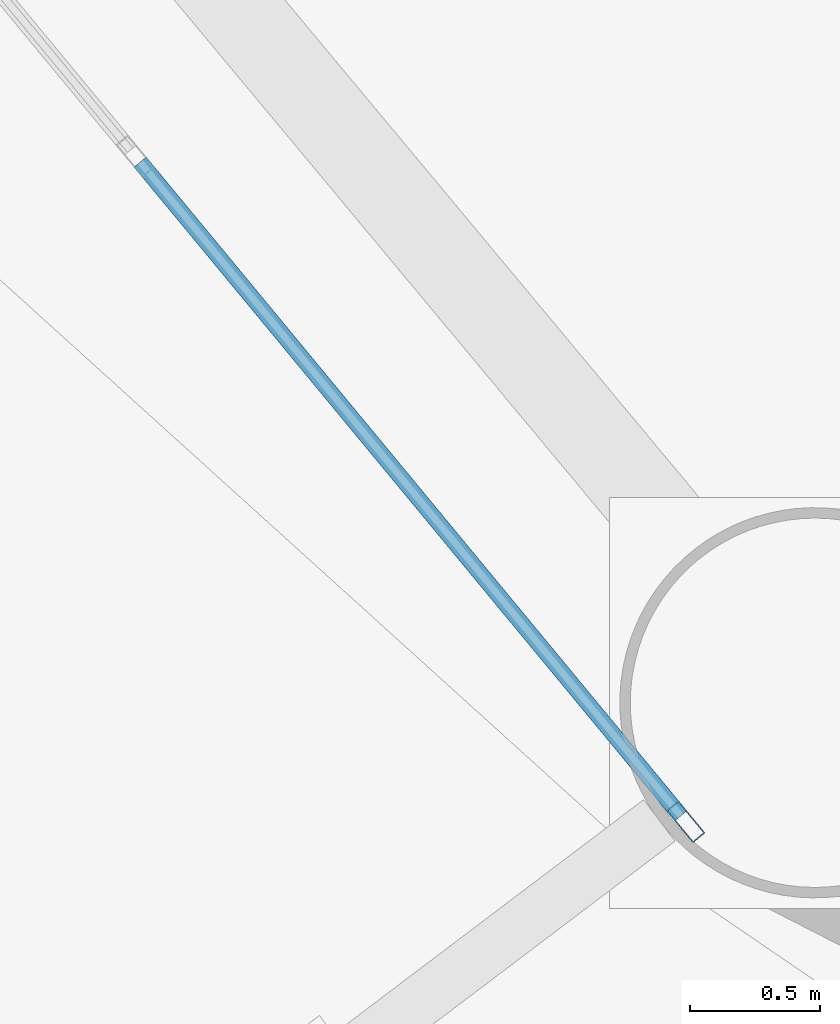
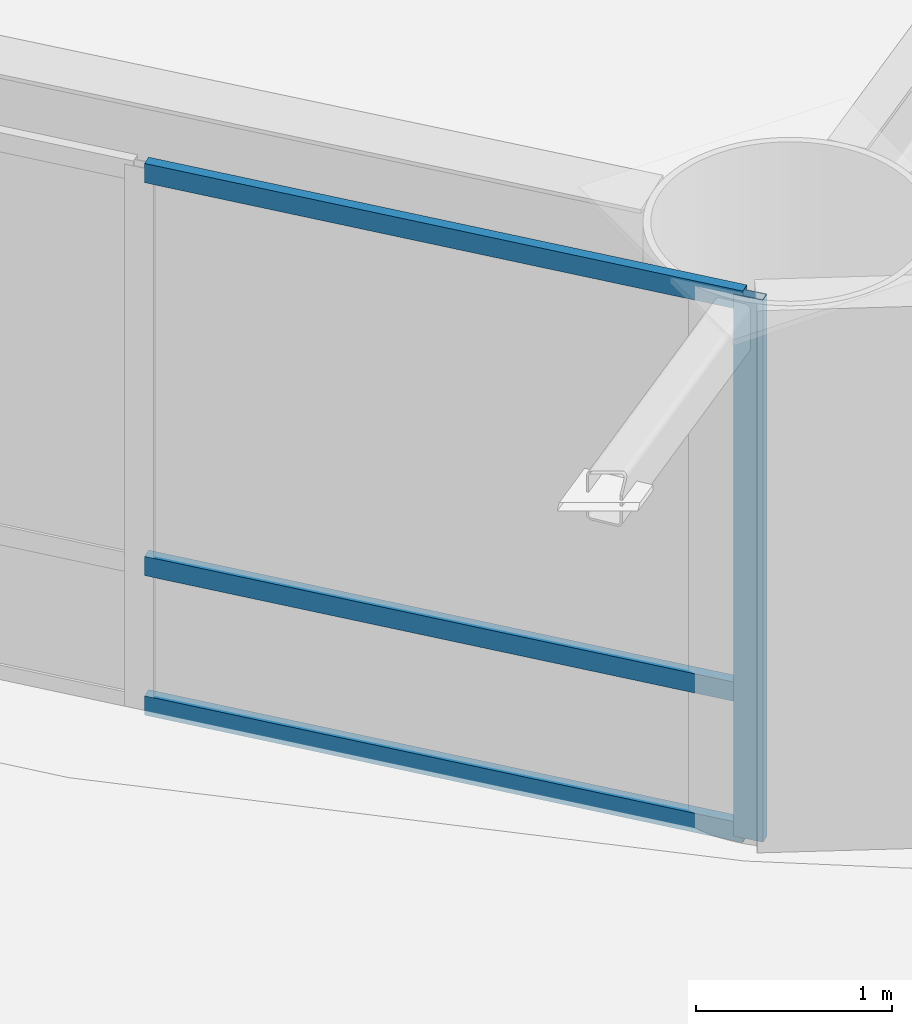
# One storey, part 4 of 30: 4 members, 1 element without a shape of its own.
"""IFC4 building model written with IfcOpenShell, lengths in metres."""

from ifc_helpers import new_model, si_unit, direction, frame, origin, origin_2d, place, context, subcontext, project, spatial, hollow_rectangle, extrude, material, layer, layer_set, material_profile, profile_set, type_object, element, aggregate, save


model = new_model("IFC4")

# Units and contexts
model_context = context("Model", 3, precision=1e-05, world=origin(), true_north=direction((0.0, 1.0)))
body_context = subcontext(model_context, "Body", "Model", "MODEL_VIEW")
ifc_project = project(units=[si_unit("LENGTHUNIT", "METRE"), si_unit("AREAUNIT", "SQUARE_METRE"), si_unit("VOLUMEUNIT", "CUBIC_METRE"), si_unit("PLANEANGLEUNIT", "RADIAN"), si_unit("MASSUNIT", "GRAM", prefix="KILO")], contexts=[model_context])

# Site, building, storey
site_placement = place(None, origin())
site = spatial("IfcSite", under=ifc_project, at=site_placement, CompositionType="ELEMENT")
building_placement = place(site_placement, origin())
building = spatial("IfcBuilding", under=site, at=building_placement, Name="Sarneth Arch Tower", CompositionType="ELEMENT")
storey_placement = place(building_placement, frame((0.0, 0.0, 28.199951171875)))
storey = spatial("IfcBuildingStorey", under=building, at=storey_placement, Name="L05", CompositionType="ELEMENT", Elevation=28.199951171875)

# Curtain wall, members
ifc_material_1 = material(Name="Anodised aluminium Type AA25 and solar-control low-e laminated IGU", Category="aluminium")
ifc_layer = layer(ifc_material_1, 0.159912109375)
ifc_layer_set = layer_set([ifc_layer], Name="Anodised aluminium Type AA25 and solar-control low-e laminated IGU")
curtain_wall_type = type_object("IfcCurtainWallType", Name="CW-HOTEL-LOW", PredefinedType="NOTDEFINED", material=ifc_layer_set)
curtain_wall_placement = place(storey_placement, origin())
curtain_wall = element("IfcCurtainWall", 1, at=curtain_wall_placement, inside=storey, type_object=curtain_wall_type, Name="L05 Unitised curtain wall facet 10", PredefinedType="NOTDEFINED")
ifc_material_2 = material(Name="Anodised Aluminium 6063-T6", Category="aluminium")
ifc_material_profile_1 = material_profile(ifc_material_2, hollow_rectangle(XDim=0.06005859375, YDim=0.159912109375, WallThickness=0.00390625, at=origin_2d()), Name="AL-MULL-160x60x4")
ifc_profile_set_1 = profile_set([ifc_material_profile_1], Name="Anodised Aluminium 6063-T6")
member_type_1 = type_object("IfcMemberType", Name="CW-MULLION", PredefinedType="MULLION", material=ifc_profile_set_1)
member_1_placement = place(storey_placement, frame((25.806640625, 25.137451171875, 0.0), z_axis=(0.0, 0.0, 1.0), x_axis=(0.770622960278, 0.637291340827, 0.0)))
member_1 = element("IfcMember", 2, at=member_1_placement, type_object=member_type_1, Name="CW-SYS-3 mullion 4", PredefinedType="MULLION", context=body_context, shape_type="SweptSolid", body=[
    extrude(hollow_rectangle(XDim=0.06005859375, YDim=0.159912109375, WallThickness=0.00390625, at=origin_2d()), origin(), (0.0, 0.0, 1.0), 3.380126953125),
])
ifc_material_3 = material(Name="Anodised Aluminium 6063-T6", Category="aluminium")
ifc_material_profile_2 = material_profile(ifc_material_3, hollow_rectangle(XDim=0.06005859375, YDim=0.1201171875, WallThickness=0.00390625, at=origin_2d()), Name="AL-TRAN-120x60x4")
ifc_profile_set_2 = profile_set([ifc_material_profile_2], Name="Anodised Aluminium 6063-T6")
member_type_2 = type_object("IfcMemberType", Name="CW-TRANSOM", PredefinedType="USERDEFINED", material=ifc_profile_set_2)
member_2_placement = place(storey_placement, frame((23.70947265625, 27.673583984375, 0.030029296875), z_axis=(0.637285736625, -0.770627594817, 0.0), x_axis=(0.770627594817, 0.637285736625, 0.0)))
member_2 = element("IfcMember", 3, at=member_2_placement, type_object=member_type_2, Name="CW-SYS-3 transom 3.1", ObjectType="TRANSOM", PredefinedType="USERDEFINED", context=body_context, shape_type="SweptSolid", body=[
    extrude(hollow_rectangle(XDim=0.06005859375, YDim=0.1201171875, WallThickness=0.00390625, at=origin_2d()), origin(), (0.0, 0.0, 1.0), 3.260986328125),
])
member_3_placement = place(storey_placement, frame((23.70947265625, 27.673583984375, 0.900146484375), z_axis=(0.637285736625, -0.770627594817, 0.0), x_axis=(0.770627594817, 0.637285736625, 0.0)))
member_3 = element("IfcMember", 4, at=member_3_placement, type_object=member_type_2, Name="CW-SYS-3 transom 3.2", ObjectType="TRANSOM", PredefinedType="USERDEFINED", context=body_context, shape_type="SweptSolid", body=[
    extrude(hollow_rectangle(XDim=0.06005859375, YDim=0.1201171875, WallThickness=0.00390625, at=origin_2d()), origin(), (0.0, 0.0, 1.0), 3.260986328125),
])
member_4_placement = place(storey_placement, frame((23.70947265625, 27.673583984375, 3.35009765625), z_axis=(0.637285736625, -0.770627594817, 0.0), x_axis=(0.770627594817, 0.637285736625, 0.0)))
member_4 = element("IfcMember", 5, at=member_4_placement, type_object=member_type_2, Name="CW-SYS-3 transom 3.3", ObjectType="TRANSOM", PredefinedType="USERDEFINED", context=body_context, shape_type="SweptSolid", body=[
    extrude(hollow_rectangle(XDim=0.06005859375, YDim=0.1201171875, WallThickness=0.00390625, at=origin_2d()), origin(), (0.0, 0.0, 1.0), 3.260986328125),
])
aggregate(curtain_wall, [member_1, member_2, member_3, member_4])

save(model, "model.ifc")
